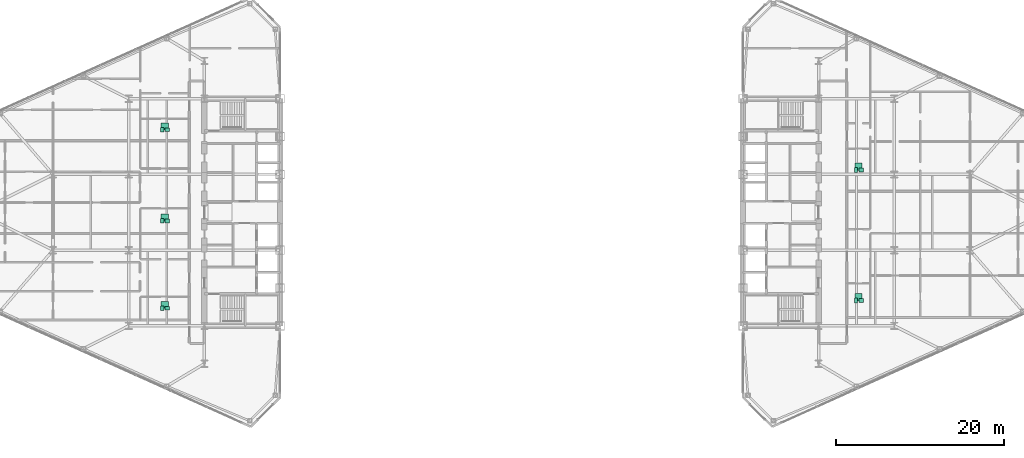
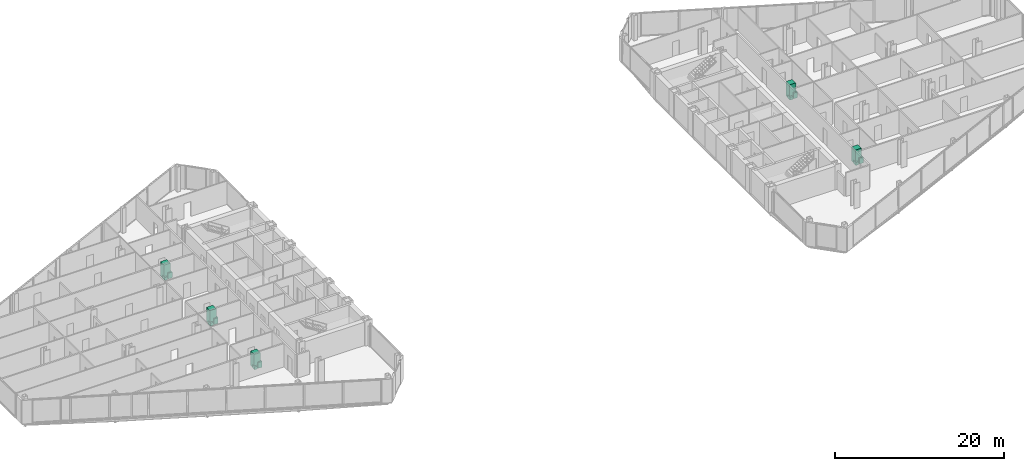
# One storey, part 27 of 27: 15 sanitary terminals.
"""IFC4 building model written with IfcOpenShell, lengths in metres."""

import ifcopenshell
import ifcopenshell.guid

model = None  # the IFC model being written
_history = None  # IfcOwnerHistory: only IFC2X3 demands one
_inside = {}  # id of a spatial element -> (the spatial element, [elements in it])
_under = {}  # id of a project, library or spatial element -> (it, [spatial elements below it])
_declared = {}  # id of a project -> (the project, [libraries it declares])
_typed = {}  # id of a type object -> (the type object, [elements of that type])
_made_of = {}  # id of a material, layer set ... -> (it, [elements and type objects made of it])


def new_model(schema):
    """Start an empty IFC model of exactly this schema.

    Asked for "IFC4X3", IfcOpenShell would pick the latest addendum, in which some entities
    have other attributes; the version numbers below select the first issue.
    IFC2X3 requires an IfcOwnerHistory on every rooted entity: one is made here for all.
    """
    global model, _history
    if schema == "IFC4X3":
        model = ifcopenshell.file(schema_version=(4, 3, 0, 0))
    else:
        model = ifcopenshell.file(schema=schema)
    _inside.clear()
    _under.clear()
    _declared.clear()
    _typed.clear()
    _made_of.clear()
    _history = None
    if model.schema == "IFC2X3":
        org = make("IfcOrganization", Name="unknown")
        user = make(
            "IfcPersonAndOrganization",
            ThePerson=make("IfcPerson", FamilyName="unknown"),
            TheOrganization=org,
        )
        app = make(
            "IfcApplication",
            ApplicationDeveloper=org,
            Version="unknown",
            ApplicationFullName="unknown",
            ApplicationIdentifier="unknown",
        )
        _history = make(
            "IfcOwnerHistory",
            OwningUser=user,
            OwningApplication=app,
            ChangeAction="ADDED",
            CreationDate=0,
        )
    return model


def make(cls, **values):
    """One entity of the class cls with the attributes given. An attribute that is None is left unset."""
    return model.create_entity(
        cls, **{name: value for name, value in values.items() if value is not None}
    )


def rooted(cls, **values):
    """An entity with a GlobalId (a new one), such as an element, a storey or a relation."""
    return make(cls, GlobalId=ifcopenshell.guid.new(), OwnerHistory=_history, **values)


def si_unit(unit_type, name, prefix=None):
    """IfcSIUnit, for example si_unit("LENGTHUNIT", "METRE", prefix="MILLI")."""
    return make("IfcSIUnit", UnitType=unit_type, Prefix=prefix, Name=name)


def assignment(units):
    """IfcUnitAssignment: the units of a project."""
    return None if units is None else make("IfcUnitAssignment", Units=units)


def point(xyz):
    """IfcCartesianPoint."""
    return None if xyz is None else make("IfcCartesianPoint", Coordinates=xyz)


def direction(xyz):
    """IfcDirection."""
    return None if xyz is None else make("IfcDirection", DirectionRatios=xyz)


def frame(location, z_axis=None, x_axis=None):
    """IfcAxis2Placement3D, a coordinate frame: its origin and axes. An axis left out is left unset."""
    return make(
        "IfcAxis2Placement3D",
        Location=point(location),
        Axis=direction(z_axis),
        RefDirection=direction(x_axis),
    )


def frame_2d(location, x_axis=None):
    """IfcAxis2Placement2D, a coordinate frame in the plane: its origin and x axis."""
    return make(
        "IfcAxis2Placement2D", Location=point(location), RefDirection=direction(x_axis)
    )


def origin():
    """The frame at (0, 0, 0) with its axes left unset."""
    return frame((0.0, 0.0, 0.0))


def origin_2d():
    """The frame at (0, 0) in the plane with its x axis left unset."""
    return frame_2d((0.0, 0.0))


def place(relative_to, where):
    """IfcLocalPlacement: puts the frame where relative to a parent placement (None: the world)."""
    return make(
        "IfcLocalPlacement", PlacementRelTo=relative_to, RelativePlacement=where
    )


def context(
    kind, dimensions, precision=None, world=None, true_north=None, identifier=None
):
    """IfcGeometricRepresentationContext, for example the 3D "Model" context."""
    return make(
        "IfcGeometricRepresentationContext",
        ContextIdentifier=identifier,
        ContextType=kind,
        CoordinateSpaceDimension=dimensions,
        Precision=precision,
        WorldCoordinateSystem=world,
        TrueNorth=true_north,
    )


def subcontext(parent, identifier, kind, view, scale=None):
    """IfcGeometricRepresentationSubContext, for example "Body" below "Model"."""
    return make(
        "IfcGeometricRepresentationSubContext",
        ContextIdentifier=identifier,
        ContextType=kind,
        ParentContext=parent,
        TargetScale=scale,
        TargetView=view,
    )


def project(units=None, contexts=None):
    """IfcProject with its units and contexts."""
    return rooted(
        "IfcProject",
        Name="project",
        RepresentationContexts=contexts,
        UnitsInContext=assignment(units),
    )


def spatial(cls, under=None, at=None, **own):
    """A site, building, storey or space (cls), placed at a placement, below another one or the project."""
    s = rooted(cls, ObjectPlacement=at, **own)
    if under is not None:
        _under.setdefault(under.id(), (under, []))[1].append(s)
    return s


def profile(cls, at=None, kind="AREA", **sizes):
    """A parametric profile (cls). Its sizes go by their IFC names, for example OverallWidth=200.0."""
    return make(cls, ProfileType=kind, Position=at, **sizes)


def rectangle(**sizes):
    """IfcRectangleProfileDef."""
    return profile("IfcRectangleProfileDef", **sizes)


def extrude(swept, where, along, depth):
    """IfcExtrudedAreaSolid: the profile swept, set in the frame where, extruded along a direction by depth."""
    return make(
        "IfcExtrudedAreaSolid",
        SweptArea=swept,
        Position=where,
        ExtrudedDirection=direction(along),
        Depth=depth,
    )


def shape(context_of_items, identifier, shape_type, items):
    """IfcShapeRepresentation: the items that make up one representation, for example the "Body"."""
    return make(
        "IfcShapeRepresentation",
        ContextOfItems=context_of_items,
        RepresentationIdentifier=identifier,
        RepresentationType=shape_type,
        Items=items,
    )


def source(mapping_origin, context_of_items, identifier, shape_type, items):
    """IfcRepresentationMap: a shape defined once, which mapped items show again and again."""
    return make(
        "IfcRepresentationMap",
        MappingOrigin=mapping_origin,
        MappedRepresentation=shape(context_of_items, identifier, shape_type, items),
    )


def transform(
    local_origin,
    x_axis=None,
    y_axis=None,
    z_axis=None,
    scale=None,
    scale2=None,
    scale3=None,
    uniform=True,
):
    """IfcCartesianTransformationOperator3D, or its non-uniform kind. x_axis, y_axis, z_axis: its Axis1, 2, 3."""
    if uniform:
        return make(
            "IfcCartesianTransformationOperator3D",
            Axis1=direction(x_axis),
            Axis2=direction(y_axis),
            LocalOrigin=point(local_origin),
            Scale=scale,
            Axis3=direction(z_axis),
        )
    return make(
        "IfcCartesianTransformationOperator3DnonUniform",
        Axis1=direction(x_axis),
        Axis2=direction(y_axis),
        LocalOrigin=point(local_origin),
        Scale=scale,
        Axis3=direction(z_axis),
        Scale2=scale2,
        Scale3=scale3,
    )


def mapped(mapping_source, mapping_target):
    """IfcMappedItem: shows the shape of a source again, moved by a transform."""
    return make(
        "IfcMappedItem", MappingSource=mapping_source, MappingTarget=mapping_target
    )


def material(Name=None, Category=None):
    """IfcMaterial."""
    return make("IfcMaterial", Name=Name, Category=Category)


def made_of(thing, what):
    """Note that an element or type object is made of a material, layer set ...; save() writes the relation."""
    if what is not None:
        _made_of.setdefault(what.id(), (what, []))[1].append(thing)
    return thing


def type_object(cls, material=None, **own):
    """A type object (cls), such as IfcWallType, which elements share."""
    return made_of(rooted(cls, **own), material)


def type_shapes(of_type, sources):
    """Give a type object the sources (RepresentationMaps) that its elements show as mapped items."""
    of_type.RepresentationMaps = sources


def element(
    cls,
    number,
    at=None,
    inside=None,
    cuts=None,
    type_object=None,
    material=None,
    context=None,
    identifier="Body",
    shape_type=None,
    held_by="IfcProductDefinitionShape",
    body=None,
    shapes=None,
    **own,
):
    """One element of the class cls, such as IfcWall. Its Tag is "e" and its number.

    at: its placement. inside: the storey or other place that contains it. cuts: it is an
    opening in that element (IfcRelVoidsElement). A single representation is given by context,
    identifier, shape_type and body (its items); several are given by shapes. held_by: the class
    of the entity that holds the representations. save() writes the other relations.
    """
    e = rooted(cls, Tag="e%d" % number, ObjectPlacement=at, **own)
    if body is not None:
        shapes = [shape(context, identifier, shape_type, body)]
    if shapes is not None:
        e.Representation = make(held_by, Representations=shapes)
    if inside is not None:
        _inside.setdefault(inside.id(), (inside, []))[1].append(e)
    if cuts is not None:
        rooted(
            "IfcRelVoidsElement", RelatingBuildingElement=cuts, RelatedOpeningElement=e
        )
    if type_object is not None:
        _typed.setdefault(type_object.id(), (type_object, []))[1].append(e)
    return made_of(e, material)


def aggregate(whole, parts):
    """IfcRelAggregates: a whole, such as a stair, and the parts it consists of."""
    return rooted("IfcRelAggregates", RelatingObject=whole, RelatedObjects=parts)


def save(model, path):
    """Write the relations noted so far, then the file.

    IfcRelAggregates (storeys below a building ...), IfcRelContainedInSpatialStructure (elements
    in a storey), IfcRelDefinesByType, IfcRelAssociatesMaterial and IfcRelDeclares: one each for
    every whole, place, type object, material and project.
    """
    for whole, parts in _under.values():
        aggregate(whole, parts)
    for where, things in _inside.values():
        rooted(
            "IfcRelContainedInSpatialStructure",
            RelatedElements=things,
            RelatingStructure=where,
        )
    for kind, things in _typed.values():
        rooted("IfcRelDefinesByType", RelatedObjects=things, RelatingType=kind)
    for what, things in _made_of.values():
        rooted("IfcRelAssociatesMaterial", RelatedObjects=things, RelatingMaterial=what)
    for by, libraries in _declared.values():
        rooted("IfcRelDeclares", RelatingContext=by, RelatedDefinitions=libraries)
    model.write(path)


model = new_model("IFC4")

# Units and contexts
model_context = context("Model", 3, precision=1e-05, world=origin(), true_north=direction((0.0, 1.0)))
body_context = subcontext(model_context, "Body", "Model", "MODEL_VIEW")
ifc_project = project(units=[si_unit("LENGTHUNIT", "METRE"), si_unit("AREAUNIT", "SQUARE_METRE"), si_unit("VOLUMEUNIT", "CUBIC_METRE"), si_unit("PLANEANGLEUNIT", "RADIAN"), si_unit("MASSUNIT", "GRAM", prefix="KILO")], contexts=[model_context])

# Site, building, storey
site_placement = place(None, origin())
site = spatial("IfcSite", under=ifc_project, at=site_placement, CompositionType="ELEMENT")
building_placement = place(site_placement, origin())
building = spatial("IfcBuilding", under=site, at=building_placement, Name="Seokmaru Belvedere", CompositionType="ELEMENT")
storey_placement = place(building_placement, frame((0.0, 0.0, 92.39990234375)))
storey = spatial("IfcBuildingStorey", under=building, at=storey_placement, Name="L24", CompositionType="ELEMENT", Elevation=92.39990234375)

# Sanitary terminals
ifc_material_1 = material(Name="Vitreous China Sanitaryware")
sanitary_terminal_type_1 = type_object("IfcSanitaryTerminalType", Name="Wall-Hung Vitreous China WC Pan", PredefinedType="TOILETPAN", material=ifc_material_1)
shared_shape_1 = source(origin(), body_context, "Body", "SweptSolid", [
    extrude(rectangle(XDim=0.3798828125, YDim=0.56005859375, at=origin_2d()), origin(), (0.0, 0.0, 1.0), 0.419921875),
])
type_shapes(sanitary_terminal_type_1, [shared_shape_1])
for number, where, z_axis, x_axis, name in (
    (1, (-41.52490234375, -11.410888671875, 0.000244140625), (0.0, 0.0, 1.0), (1.0, 0.0, 0.0), "L24 Vitreous China WC 0135"),
    (2, (-41.52490234375, -1.01611328125, 0.000244140625), (0.0, 0.0, 1.0), (1.0, 0.0, 0.0), "L24 Vitreous China WC 0136"),
    (3, (-41.52490234375, 9.822021484375, 0.000244140625), (0.0, 0.0, 1.0), (1.0, 0.0, 0.0), "L24 Vitreous China WC 0137"),
    (4, (40.949951171875, -10.47607421875, 0.000244140625), (0.0, 0.0, 1.0), (1.0, 0.0, 0.0), "L24 Vitreous China WC 0138"),
    (5, (40.949951171875, 5.0390625, 0.000244140625), (0.0, 0.0, 1.0), (1.0, 0.0, 0.0), "L24 Vitreous China WC 0139"),
):
    element("IfcSanitaryTerminal", number, at=place(storey_placement, frame(where, z_axis=z_axis, x_axis=x_axis)), inside=storey, type_object=sanitary_terminal_type_1, Name=name, PredefinedType="TOILETPAN", context=body_context, shape_type="MappedRepresentation", body=[
        mapped(shared_shape_1, transform((0.0, 0.0, 0.0), scale=1.0)),
    ])
sanitary_terminal_type_2 = type_object("IfcSanitaryTerminalType", Name="Countertop Ceramic Washhand Basin", PredefinedType="WASHHANDBASIN", material=ifc_material_1)
shared_shape_2 = source(origin(), body_context, "Body", "SweptSolid", [
    extrude(rectangle(XDim=0.550048828125, YDim=0.449951171875, at=origin_2d()), origin(), (0.0, 0.0, 1.0), 0.820068359375),
])
type_shapes(sanitary_terminal_type_2, [shared_shape_2])
for number, where, z_axis, x_axis, name in (
    (6, (-40.925048828125, -11.410888671875, 0.0), (0.0, 0.0, 1.0), (1.0, 0.0, 0.0), "L24 Ceramic Washhand Basin 0135"),
    (7, (-40.925048828125, -1.01611328125, 0.0), (0.0, 0.0, 1.0), (1.0, 0.0, 0.0), "L24 Ceramic Washhand Basin 0136"),
    (8, (-40.925048828125, 9.822021484375, 0.0), (0.0, 0.0, 1.0), (1.0, 0.0, 0.0), "L24 Ceramic Washhand Basin 0137"),
    (9, (41.550048828125, -10.47607421875, 0.0), (0.0, 0.0, 1.0), (1.0, 0.0, 0.0), "L24 Ceramic Washhand Basin 0138"),
    (10, (41.550048828125, 5.0390625, 0.0), (0.0, 0.0, 1.0), (1.0, 0.0, 0.0), "L24 Ceramic Washhand Basin 0139"),
):
    element("IfcSanitaryTerminal", number, at=place(storey_placement, frame(where, z_axis=z_axis, x_axis=x_axis)), inside=storey, type_object=sanitary_terminal_type_2, Name=name, PredefinedType="WASHHANDBASIN", context=body_context, shape_type="MappedRepresentation", body=[
        mapped(shared_shape_2, transform((0.0, 0.0, 0.0), scale=1.0)),
    ])
ifc_material_2 = material(Name="Stainless Steel 316", Category="steel")
sanitary_terminal_type_3 = type_object("IfcSanitaryTerminalType", Name="Walk-In Thermostatic Rain Shower Enclosure", PredefinedType="SHOWER", material=ifc_material_2)
shared_shape_3 = source(origin(), body_context, "Body", "SweptSolid", [
    extrude(rectangle(XDim=0.85009765625, YDim=0.85009765625, at=origin_2d()), origin(), (0.0, 0.0, 1.0), 2.050048828125),
])
type_shapes(sanitary_terminal_type_3, [shared_shape_3])
for number, where, z_axis, x_axis, name in (
    (11, (-41.22509765625, -11.030029296875, 0.0), (0.0, 0.0, 1.0), (1.0, 0.0, 0.0), "L24 Walk-In Shower 0135"),
    (12, (-41.22509765625, -0.635986328125, 0.0), (0.0, 0.0, 1.0), (1.0, 0.0, 0.0), "L24 Walk-In Shower 0136"),
    (13, (-41.22509765625, 10.202880859375, 0.0), (0.0, 0.0, 1.0), (1.0, 0.0, 0.0), "L24 Walk-In Shower 0137"),
    (14, (41.25, -10.095947265625, 0.0), (0.0, 0.0, 1.0), (1.0, 0.0, 0.0), "L24 Walk-In Shower 0138"),
    (15, (41.25, 5.4189453125, 0.0), (0.0, 0.0, 1.0), (1.0, 0.0, 0.0), "L24 Walk-In Shower 0139"),
):
    element("IfcSanitaryTerminal", number, at=place(storey_placement, frame(where, z_axis=z_axis, x_axis=x_axis)), inside=storey, type_object=sanitary_terminal_type_3, Name=name, PredefinedType="SHOWER", context=body_context, shape_type="MappedRepresentation", body=[
        mapped(shared_shape_3, transform((0.0, 0.0, 0.0), scale=1.0)),
    ])

save(model, "model.ifc")
